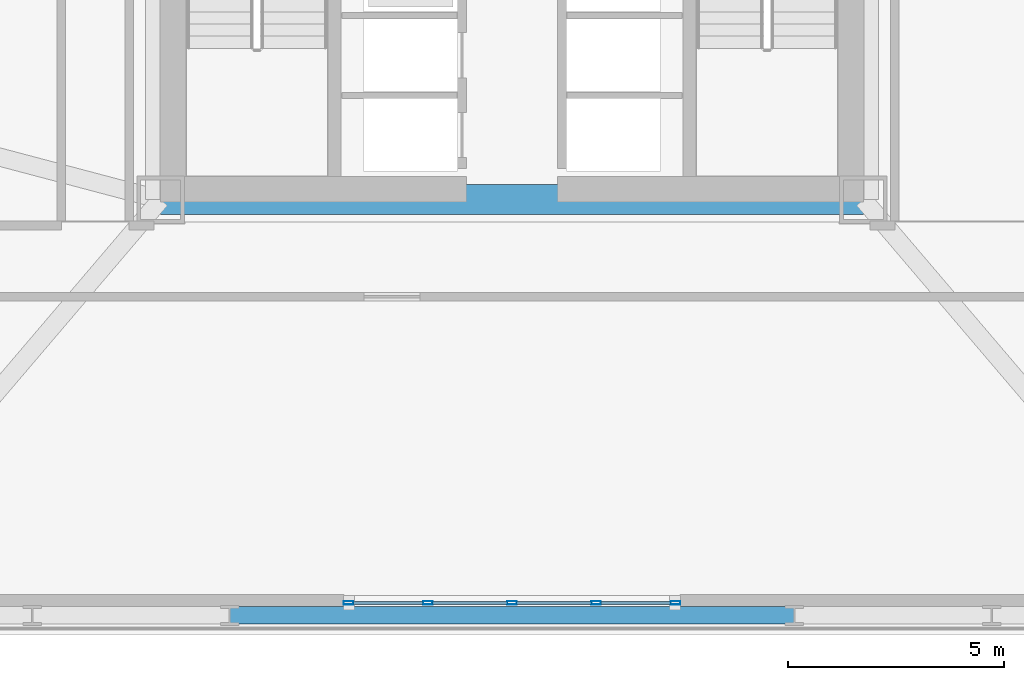
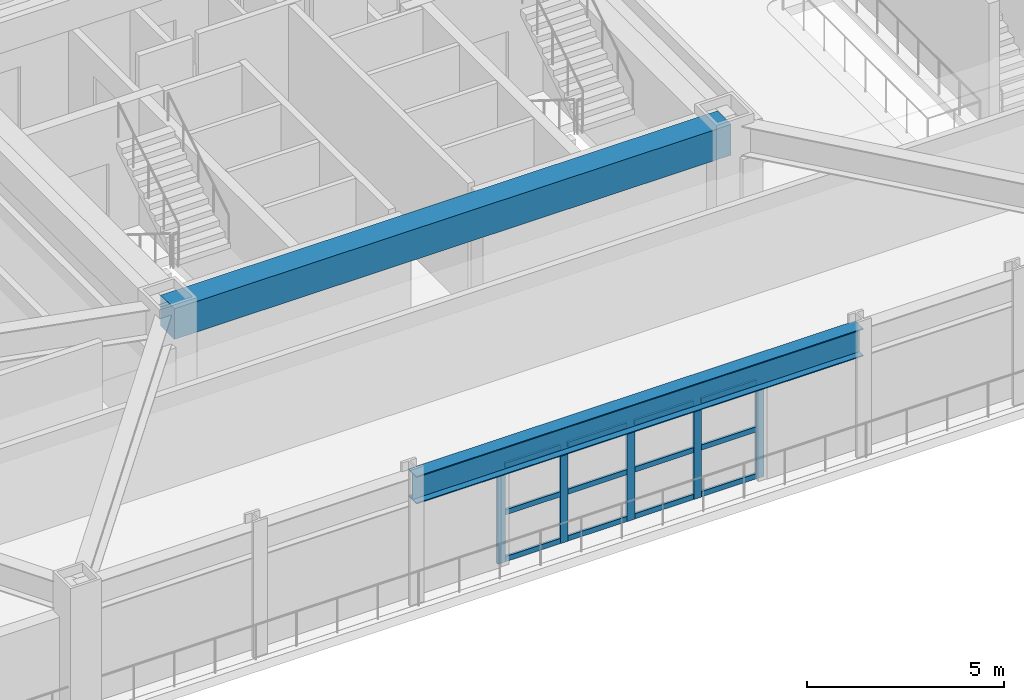
# One storey, part 2 of 16: 17 members, 2 beams, 1 element without a shape of its own.
"""IFC4 building model written with IfcOpenShell, lengths in metres."""

from ifc_helpers import new_model, si_unit, direction, frame, origin, origin_2d, place, context, subcontext, project, spatial, rectangle, hollow_rectangle, i_section, extrude, material, layer, layer_set, material_profile, profile_set, type_object, element, aggregate, save


model = new_model("IFC4")

# Units and contexts
model_context = context("Model", 3, precision=1e-05, world=origin(), true_north=direction((0.0, 1.0)))
body_context = subcontext(model_context, "Body", "Model", "MODEL_VIEW")
ifc_project = project(units=[si_unit("LENGTHUNIT", "METRE"), si_unit("AREAUNIT", "SQUARE_METRE"), si_unit("VOLUMEUNIT", "CUBIC_METRE"), si_unit("PLANEANGLEUNIT", "RADIAN"), si_unit("MASSUNIT", "GRAM", prefix="KILO")], contexts=[model_context])

# Site, building, storey
site_placement = place(None, origin())
site = spatial("IfcSite", under=ifc_project, at=site_placement, CompositionType="ELEMENT")
building_placement = place(site_placement, origin())
building = spatial("IfcBuilding", under=site, at=building_placement, Name="Oramaril Tower", CompositionType="ELEMENT")
storey_placement = place(building_placement, frame((0.0, 0.0, 9.89990234375)))
storey = spatial("IfcBuildingStorey", under=building, at=storey_placement, Name="L02", CompositionType="ELEMENT", Elevation=9.89990234375)

# Beams
ifc_material_1 = material(Name="Concrete C50/60", Category="concrete")
ifc_material_profile_1 = material_profile(ifc_material_1, rectangle(XDim=0.699951171875, YDim=0.949951171875, at=origin_2d()), Name="CB700X950")
ifc_profile_set_1 = profile_set([ifc_material_profile_1], Name="Concrete C50/60")
beam_type_1 = type_object("IfcBeamType", Name="BT-CB1", PredefinedType="BEAM", material=ifc_profile_set_1)
beam_1_placement = place(storey_placement, frame((29.35009765625, 11.0, 3.445068359375), z_axis=(1.0, 0.0, 0.0), x_axis=(0.0, 1.0, 0.0)))
element("IfcBeam", 1, at=beam_1_placement, inside=storey, type_object=beam_type_1, Name="L02 Core Header Beam CB-1", PredefinedType="BEAM", context=body_context, shape_type="SweptSolid", body=[
    extrude(rectangle(XDim=0.699951171875, YDim=0.949951171875, at=origin_2d()), origin(), (0.0, 0.0, 1.0), 16.2998046875),
])
ifc_material_2 = material(Name="Steel ASTM A572 Gr 50", Category="steel")
ifc_material_profile_2 = material_profile(ifc_material_2, i_section(OverallWidth=0.40087890625, OverallDepth=0.85595703125, WebThickness=0.018310546875, FlangeThickness=0.029296875, at=origin_2d()), Name="W33X201")
ifc_profile_set_2 = profile_set([ifc_material_profile_2], Name="Steel ASTM A572 Gr 50")
beam_type_2 = type_object("IfcBeamType", Name="BT-SP1", PredefinedType="SPANDREL", material=ifc_profile_set_2)
beam_2_placement = place(storey_placement, frame((30.955078125, 1.360107421875, 3.4921875), z_axis=(1.0, 0.0, 0.0), x_axis=(0.0, 1.0, 0.0)))
element("IfcBeam", 2, at=beam_2_placement, inside=storey, type_object=beam_type_2, Name="L02 Perimeter Spandrel 04", PredefinedType="SPANDREL", context=body_context, shape_type="SweptSolid", body=[
    extrude(i_section(OverallWidth=0.40087890625, OverallDepth=0.85595703125, WebThickness=0.018310546875, FlangeThickness=0.029296875, at=origin_2d()), origin(), (0.0, 0.0, 1.0), 13.08984375),
])

# Curtain wall, members
ifc_material_3 = material(Name="Anodised Aluminium 6063-T6", Category="aluminium")
ifc_layer = layer(ifc_material_3, 0.219970703125)
ifc_layer_set = layer_set([ifc_layer], Name="CWT-SYS1")
curtain_wall_type = type_object("IfcCurtainWallType", Name="CWT-SYS1", PredefinedType="NOTDEFINED", material=ifc_layer_set)
curtain_wall_placement = place(storey_placement, origin())
curtain_wall = element("IfcCurtainWall", 3, at=curtain_wall_placement, inside=storey, type_object=curtain_wall_type, Name="L02 Unitised Curtain Wall CW-1", PredefinedType="NOTDEFINED")
ifc_material_4 = material(Name="Anodised Aluminium 6063-T6", Category="aluminium")
ifc_material_profile_3 = material_profile(ifc_material_4, hollow_rectangle(XDim=0.080078125, YDim=0.219970703125, WallThickness=0.00390625, at=origin_2d()), Name="CWM220X80")
ifc_profile_set_3 = profile_set([ifc_material_profile_3], Name="Anodised Aluminium 6063-T6")
member_type_1 = type_object("IfcMemberType", Name="MT-CWM1", PredefinedType="MULLION", material=ifc_profile_set_3)
member_1_placement = place(storey_placement, frame((33.7099609375, 1.64990234375, 0.0), z_axis=(0.0, 0.0, 1.0), x_axis=(0.0, 1.0, 0.0)))
member_1 = element("IfcMember", 4, at=member_1_placement, type_object=member_type_1, Name="CW-1 mullion 1", PredefinedType="MULLION", context=body_context, shape_type="SweptSolid", body=[
    extrude(hollow_rectangle(XDim=0.080078125, YDim=0.219970703125, WallThickness=0.00390625, at=origin_2d()), origin(), (0.0, 0.0, 1.0), 3.05419921875),
])
member_2_placement = place(storey_placement, frame((35.550048828125, 1.64990234375, 0.0), z_axis=(0.0, 0.0, 1.0), x_axis=(0.0, 1.0, 0.0)))
member_2 = element("IfcMember", 5, at=member_2_placement, type_object=member_type_1, Name="CW-1 mullion 2", PredefinedType="MULLION", context=body_context, shape_type="SweptSolid", body=[
    extrude(hollow_rectangle(XDim=0.080078125, YDim=0.219970703125, WallThickness=0.00390625, at=origin_2d()), origin(), (0.0, 0.0, 1.0), 3.05419921875),
])
member_3_placement = place(storey_placement, frame((37.5, 1.64990234375, 0.0), z_axis=(0.0, 0.0, 1.0), x_axis=(0.0, 1.0, 0.0)))
member_3 = element("IfcMember", 6, at=member_3_placement, type_object=member_type_1, Name="CW-1 mullion 3", PredefinedType="MULLION", context=body_context, shape_type="SweptSolid", body=[
    extrude(hollow_rectangle(XDim=0.080078125, YDim=0.219970703125, WallThickness=0.00390625, at=origin_2d()), origin(), (0.0, 0.0, 1.0), 3.05419921875),
])
member_4_placement = place(storey_placement, frame((39.449951171875, 1.64990234375, 0.0), z_axis=(0.0, 0.0, 1.0), x_axis=(0.0, 1.0, 0.0)))
member_4 = element("IfcMember", 7, at=member_4_placement, type_object=member_type_1, Name="CW-1 mullion 4", PredefinedType="MULLION", context=body_context, shape_type="SweptSolid", body=[
    extrude(hollow_rectangle(XDim=0.080078125, YDim=0.219970703125, WallThickness=0.00390625, at=origin_2d()), origin(), (0.0, 0.0, 1.0), 3.05419921875),
])
member_5_placement = place(storey_placement, frame((41.2900390625, 1.64990234375, 0.0), z_axis=(0.0, 0.0, 1.0), x_axis=(0.0, 1.0, 0.0)))
member_5 = element("IfcMember", 8, at=member_5_placement, type_object=member_type_1, Name="CW-1 mullion 5", PredefinedType="MULLION", context=body_context, shape_type="SweptSolid", body=[
    extrude(hollow_rectangle(XDim=0.080078125, YDim=0.219970703125, WallThickness=0.00390625, at=origin_2d()), origin(), (0.0, 0.0, 1.0), 3.05419921875),
])
ifc_material_5 = material(Name="Anodised Aluminium 6063-T6", Category="aluminium")
ifc_material_profile_4 = material_profile(ifc_material_5, hollow_rectangle(XDim=0.070068359375, YDim=0.159912109375, WallThickness=0.00390625, at=origin_2d()), Name="CWT160X70")
ifc_profile_set_4 = profile_set([ifc_material_profile_4], Name="Anodised Aluminium 6063-T6")
member_type_2 = type_object("IfcMemberType", Name="MT-CWT1", PredefinedType="USERDEFINED", material=ifc_profile_set_4)
member_6_placement = place(storey_placement, frame((33.820068359375, 1.64990234375, 0.080078125), z_axis=(1.0, 0.0, 0.0), x_axis=(0.0, 1.0, 0.0)))
member_6 = element("IfcMember", 9, at=member_6_placement, type_object=member_type_2, Name="CW-1 transom 1.1", ObjectType="TRANSOM", PredefinedType="USERDEFINED", context=body_context, shape_type="SweptSolid", body=[
    extrude(hollow_rectangle(XDim=0.070068359375, YDim=0.159912109375, WallThickness=0.00390625, at=origin_2d()), origin(), (0.0, 0.0, 1.0), 1.619873046875),
])
member_7_placement = place(storey_placement, frame((33.820068359375, 1.64990234375, 1.527099609375), z_axis=(1.0, 0.0, 0.0), x_axis=(0.0, 1.0, 0.0)))
member_7 = element("IfcMember", 10, at=member_7_placement, type_object=member_type_2, Name="CW-1 transom 1.2", ObjectType="TRANSOM", PredefinedType="USERDEFINED", context=body_context, shape_type="SweptSolid", body=[
    extrude(hollow_rectangle(XDim=0.070068359375, YDim=0.159912109375, WallThickness=0.00390625, at=origin_2d()), origin(), (0.0, 0.0, 1.0), 1.619873046875),
])
member_8_placement = place(storey_placement, frame((33.820068359375, 1.64990234375, 2.97412109375), z_axis=(1.0, 0.0, 0.0), x_axis=(0.0, 1.0, 0.0)))
member_8 = element("IfcMember", 11, at=member_8_placement, type_object=member_type_2, Name="CW-1 transom 1.3", ObjectType="TRANSOM", PredefinedType="USERDEFINED", context=body_context, shape_type="SweptSolid", body=[
    extrude(hollow_rectangle(XDim=0.070068359375, YDim=0.159912109375, WallThickness=0.00390625, at=origin_2d()), origin(), (0.0, 0.0, 1.0), 1.619873046875),
])
member_9_placement = place(storey_placement, frame((35.659912109375, 1.64990234375, 0.080078125), z_axis=(1.0, 0.0, 0.0), x_axis=(0.0, 1.0, 0.0)))
member_9 = element("IfcMember", 12, at=member_9_placement, type_object=member_type_2, Name="CW-1 transom 2.1", ObjectType="TRANSOM", PredefinedType="USERDEFINED", context=body_context, shape_type="SweptSolid", body=[
    extrude(hollow_rectangle(XDim=0.070068359375, YDim=0.159912109375, WallThickness=0.00390625, at=origin_2d()), origin(), (0.0, 0.0, 1.0), 1.72998046875),
])
member_10_placement = place(storey_placement, frame((35.659912109375, 1.64990234375, 1.527099609375), z_axis=(1.0, 0.0, 0.0), x_axis=(0.0, 1.0, 0.0)))
member_10 = element("IfcMember", 13, at=member_10_placement, type_object=member_type_2, Name="CW-1 transom 2.2", ObjectType="TRANSOM", PredefinedType="USERDEFINED", context=body_context, shape_type="SweptSolid", body=[
    extrude(hollow_rectangle(XDim=0.070068359375, YDim=0.159912109375, WallThickness=0.00390625, at=origin_2d()), origin(), (0.0, 0.0, 1.0), 1.72998046875),
])
member_11_placement = place(storey_placement, frame((35.659912109375, 1.64990234375, 2.97412109375), z_axis=(1.0, 0.0, 0.0), x_axis=(0.0, 1.0, 0.0)))
member_11 = element("IfcMember", 14, at=member_11_placement, type_object=member_type_2, Name="CW-1 transom 2.3", ObjectType="TRANSOM", PredefinedType="USERDEFINED", context=body_context, shape_type="SweptSolid", body=[
    extrude(hollow_rectangle(XDim=0.070068359375, YDim=0.159912109375, WallThickness=0.00390625, at=origin_2d()), origin(), (0.0, 0.0, 1.0), 1.72998046875),
])
member_12_placement = place(storey_placement, frame((37.610107421875, 1.64990234375, 0.080078125), z_axis=(1.0, 0.0, 0.0), x_axis=(0.0, 1.0, 0.0)))
member_12 = element("IfcMember", 15, at=member_12_placement, type_object=member_type_2, Name="CW-1 transom 3.1", ObjectType="TRANSOM", PredefinedType="USERDEFINED", context=body_context, shape_type="SweptSolid", body=[
    extrude(hollow_rectangle(XDim=0.070068359375, YDim=0.159912109375, WallThickness=0.00390625, at=origin_2d()), origin(), (0.0, 0.0, 1.0), 1.72998046875),
])
member_13_placement = place(storey_placement, frame((37.610107421875, 1.64990234375, 1.527099609375), z_axis=(1.0, 0.0, 0.0), x_axis=(0.0, 1.0, 0.0)))
member_13 = element("IfcMember", 16, at=member_13_placement, type_object=member_type_2, Name="CW-1 transom 3.2", ObjectType="TRANSOM", PredefinedType="USERDEFINED", context=body_context, shape_type="SweptSolid", body=[
    extrude(hollow_rectangle(XDim=0.070068359375, YDim=0.159912109375, WallThickness=0.00390625, at=origin_2d()), origin(), (0.0, 0.0, 1.0), 1.72998046875),
])
member_14_placement = place(storey_placement, frame((37.610107421875, 1.64990234375, 2.97412109375), z_axis=(1.0, 0.0, 0.0), x_axis=(0.0, 1.0, 0.0)))
member_14 = element("IfcMember", 17, at=member_14_placement, type_object=member_type_2, Name="CW-1 transom 3.3", ObjectType="TRANSOM", PredefinedType="USERDEFINED", context=body_context, shape_type="SweptSolid", body=[
    extrude(hollow_rectangle(XDim=0.070068359375, YDim=0.159912109375, WallThickness=0.00390625, at=origin_2d()), origin(), (0.0, 0.0, 1.0), 1.72998046875),
])
member_15_placement = place(storey_placement, frame((39.56005859375, 1.64990234375, 0.080078125), z_axis=(1.0, 0.0, 0.0), x_axis=(0.0, 1.0, 0.0)))
member_15 = element("IfcMember", 18, at=member_15_placement, type_object=member_type_2, Name="CW-1 transom 4.1", ObjectType="TRANSOM", PredefinedType="USERDEFINED", context=body_context, shape_type="SweptSolid", body=[
    extrude(hollow_rectangle(XDim=0.070068359375, YDim=0.159912109375, WallThickness=0.00390625, at=origin_2d()), origin(), (0.0, 0.0, 1.0), 1.619873046875),
])
member_16_placement = place(storey_placement, frame((39.56005859375, 1.64990234375, 1.527099609375), z_axis=(1.0, 0.0, 0.0), x_axis=(0.0, 1.0, 0.0)))
member_16 = element("IfcMember", 19, at=member_16_placement, type_object=member_type_2, Name="CW-1 transom 4.2", ObjectType="TRANSOM", PredefinedType="USERDEFINED", context=body_context, shape_type="SweptSolid", body=[
    extrude(hollow_rectangle(XDim=0.070068359375, YDim=0.159912109375, WallThickness=0.00390625, at=origin_2d()), origin(), (0.0, 0.0, 1.0), 1.619873046875),
])
member_17_placement = place(storey_placement, frame((39.56005859375, 1.64990234375, 2.97412109375), z_axis=(1.0, 0.0, 0.0), x_axis=(0.0, 1.0, 0.0)))
member_17 = element("IfcMember", 20, at=member_17_placement, type_object=member_type_2, Name="CW-1 transom 4.3", ObjectType="TRANSOM", PredefinedType="USERDEFINED", context=body_context, shape_type="SweptSolid", body=[
    extrude(hollow_rectangle(XDim=0.070068359375, YDim=0.159912109375, WallThickness=0.00390625, at=origin_2d()), origin(), (0.0, 0.0, 1.0), 1.619873046875),
])
aggregate(curtain_wall, [member_1, member_2, member_3, member_4, member_5, member_6, member_7, member_8, member_9, member_10, member_11, member_12, member_13, member_14, member_15, member_16, member_17])

save(model, "model.ifc")
